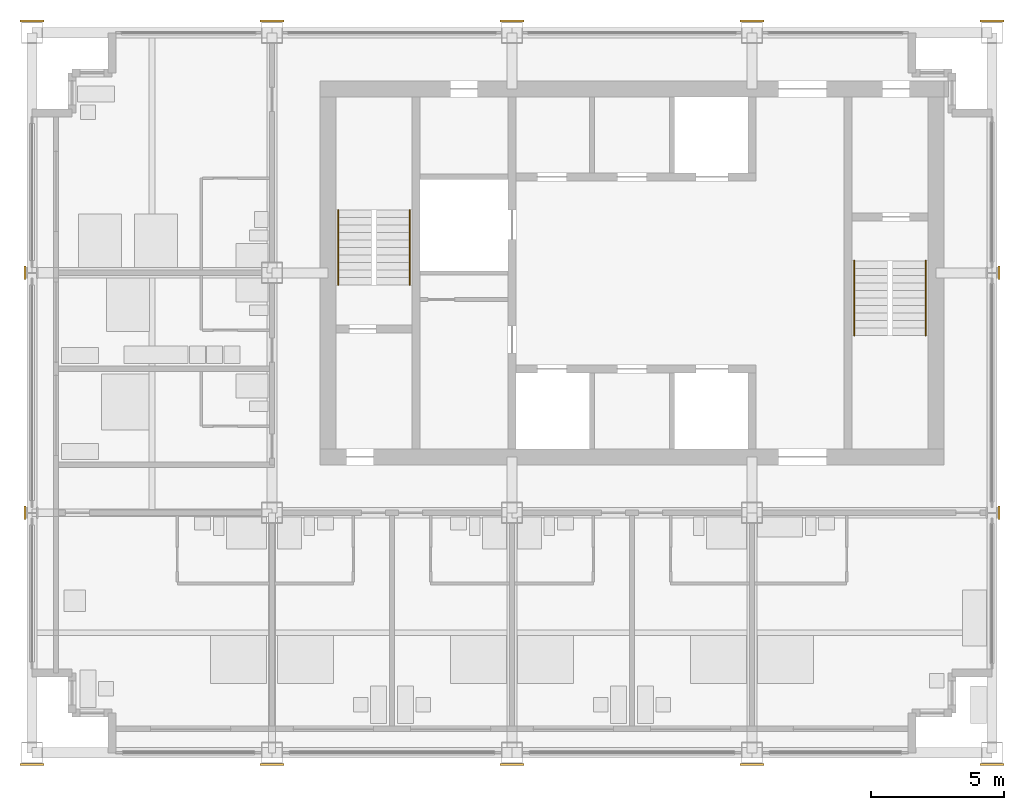
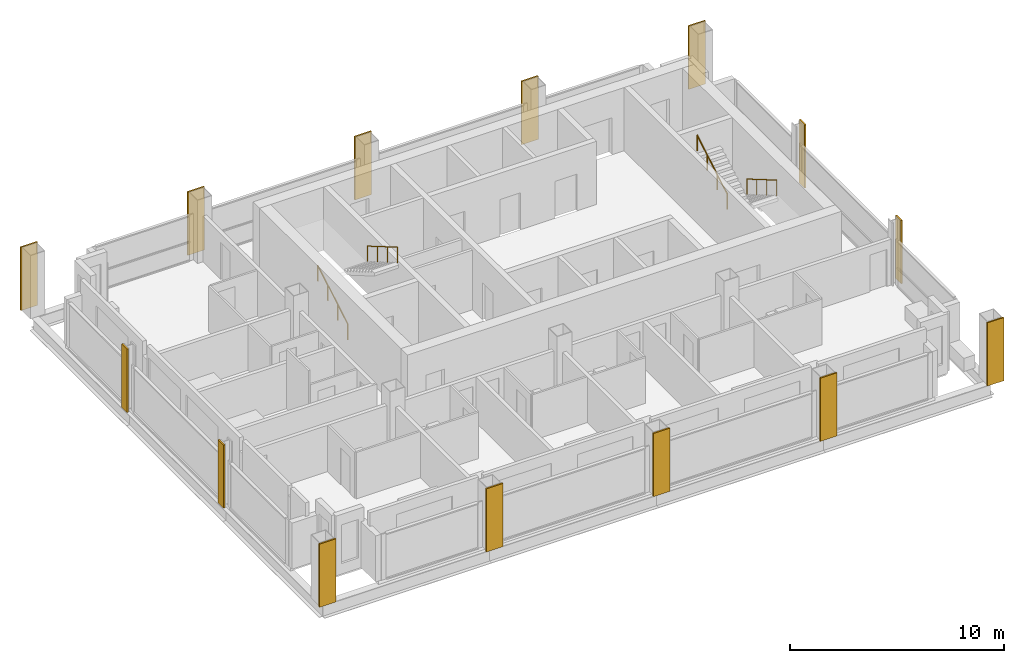
# One storey, part 10 of 12: 14 coverings, 4 railings.
"""IFC4 building model written with IfcOpenShell, lengths in metres."""

from ifc_helpers import new_model, si_unit, direction, frame, origin, origin_2d, place, context, subcontext, project, spatial, rectangle, circle, extrude, material, layer, layer_set, type_object, element, save


model = new_model("IFC4")

# Units and contexts
model_context = context("Model", 3, precision=1e-05, world=origin(), true_north=direction((0.0, 1.0)))
body_context = subcontext(model_context, "Body", "Model", "MODEL_VIEW")
ifc_project = project(units=[si_unit("LENGTHUNIT", "METRE"), si_unit("AREAUNIT", "SQUARE_METRE"), si_unit("VOLUMEUNIT", "CUBIC_METRE"), si_unit("PLANEANGLEUNIT", "RADIAN"), si_unit("MASSUNIT", "GRAM", prefix="KILO")], contexts=[model_context])

# Site, building, storey
site_placement = place(None, origin())
site = spatial("IfcSite", under=ifc_project, at=site_placement, CompositionType="ELEMENT")
building_placement = place(site_placement, origin())
building = spatial("IfcBuilding", under=site, at=building_placement, Name="Loomwork Tower", CompositionType="ELEMENT")
storey_placement = place(building_placement, frame((0.0, 0.0, 259.0)))
storey = spatial("IfcBuildingStorey", under=building, at=storey_placement, Name="L71", CompositionType="ELEMENT", Elevation=259.0)

# Railings
ifc_material_1 = material(Name="Stainless steel handrail", Category="steel")
railing_type = type_object("IfcRailingType", Name="Handrail 900", PredefinedType="HANDRAIL", material=ifc_material_1)
railing_1_placement = place(storey_placement, frame((11.485107421875, 17.550048828125, 0.16357421875)))
element("IfcRailing", 1, at=railing_1_placement, inside=storey, type_object=railing_type, Name="Stair A handrail flight 1 L71", PredefinedType="HANDRAIL", context=body_context, shape_type="SweptSolid", body=[
    extrude(circle(Radius=0.02392578125, at=origin_2d()), frame((0.0, 0.0, 0.8759765625), z_axis=(0.0, 0.863360870873, 0.504586966384), x_axis=(-1.0, 0.0, 0.0)), (0.0, 0.0, 1.0), 3.2431640625),
    extrude(circle(Radius=0.02099609375, at=origin_2d()), origin(), (0.0, 0.0, 1.0), 0.851806640625),
    extrude(circle(Radius=0.02099609375, at=origin_2d()), frame((0.0, 0.933349609375, 0.54541015625)), (0.0, 0.0, 1.0), 0.851806640625),
    extrude(circle(Radius=0.02099609375, at=origin_2d()), frame((0.0, 1.86669921875, 1.091064453125)), (0.0, 0.0, 1.0), 0.851806640625),
    extrude(circle(Radius=0.02099609375, at=origin_2d()), frame((0.0, 2.800048828125, 1.636474609375)), (0.0, 0.0, 1.0), 0.851806640625),
])
for number, where, name in (
    (2, (14.1650390625, 20.35009765625, 1.963623046875), "Stair A handrail flight 2 L71"),
    (3, (33.514892578125, 18.449951171875, 0.16357421875), "Stair B handrail flight 1 L71"),
):
    element("IfcRailing", number, at=place(storey_placement, frame(where)), inside=storey, type_object=railing_type, Name=name, PredefinedType="HANDRAIL", context=body_context, shape_type="SweptSolid", body=[
        extrude(circle(Radius=0.02392578125, at=origin_2d()), frame((0.0, 0.0, 0.8759765625), z_axis=(0.0, -0.863360870873, 0.504586966384), x_axis=(1.0, 0.0, 0.0)), (0.0, 0.0, 1.0), 3.2431640625),
        extrude(circle(Radius=0.02099609375, at=origin_2d()), origin(), (0.0, 0.0, 1.0), 0.851806640625),
        extrude(circle(Radius=0.02099609375, at=origin_2d()), frame((0.0, -0.933349609375, 0.54541015625)), (0.0, 0.0, 1.0), 0.851806640625),
        extrude(circle(Radius=0.02099609375, at=origin_2d()), frame((0.0, -1.86669921875, 1.091064453125)), (0.0, 0.0, 1.0), 0.851806640625),
        extrude(circle(Radius=0.02099609375, at=origin_2d()), frame((0.0, -2.800048828125, 1.636474609375)), (0.0, 0.0, 1.0), 0.851806640625),
    ])
railing_2_placement = place(storey_placement, frame((30.8349609375, 15.64990234375, 1.963623046875)))
element("IfcRailing", 4, at=railing_2_placement, inside=storey, type_object=railing_type, Name="Stair B handrail flight 2 L71", PredefinedType="HANDRAIL", context=body_context, shape_type="SweptSolid", body=[
    extrude(circle(Radius=0.02392578125, at=origin_2d()), frame((0.0, 0.0, 0.8759765625), z_axis=(0.0, 0.863360870873, 0.504586966384), x_axis=(-1.0, 0.0, 0.0)), (0.0, 0.0, 1.0), 3.2431640625),
    extrude(circle(Radius=0.02099609375, at=origin_2d()), origin(), (0.0, 0.0, 1.0), 0.851806640625),
    extrude(circle(Radius=0.02099609375, at=origin_2d()), frame((0.0, 0.933349609375, 0.54541015625)), (0.0, 0.0, 1.0), 0.851806640625),
    extrude(circle(Radius=0.02099609375, at=origin_2d()), frame((0.0, 1.86669921875, 1.091064453125)), (0.0, 0.0, 1.0), 0.851806640625),
    extrude(circle(Radius=0.02099609375, at=origin_2d()), frame((0.0, 2.800048828125, 1.636474609375)), (0.0, 0.0, 1.0), 0.851806640625),
])

# Coverings
ifc_material_2 = material(Name="Limestone", Category="masonry")
ifc_layer = layer(ifc_material_2, 0.080078125)
ifc_layer_set = layer_set([ifc_layer], Name="Limestone pier facing 80")
covering_type = type_object("IfcCoveringType", Name="Limestone pier facing 80", PredefinedType="CLADDING", material=ifc_layer_set)
covering_1_placement = place(storey_placement, frame((0.0, -0.43994140625, 0.0), z_axis=(0.0, 0.0, 1.0), x_axis=(1.0, 0.0, 0.0)))
element("IfcCovering", 5, at=covering_1_placement, inside=storey, type_object=covering_type, Name="Pier facing D/2 L71", PredefinedType="CLADDING", context=body_context, shape_type="SweptSolid", body=[
    extrude(rectangle(XDim=0.89990234375, YDim=0.080078125, at=origin_2d()), origin(), (0.0, 0.0, 1.0), 3.60009765625),
])
for number, where, z_axis, x_axis, name in (
    (6, (-0.26220703125, 9.0, 0.0), (0.0, 0.0, 1.0), (1.0, 0.0, 0.0), "Pier facing E/2 L71"),
    (7, (-0.26220703125, 18.0, 0.0), (0.0, 0.0, 1.0), (1.0, 0.0, 0.0), "Pier facing F/2 L71"),
):
    element("IfcCovering", number, at=place(storey_placement, frame(where, z_axis=z_axis, x_axis=x_axis)), inside=storey, type_object=covering_type, Name=name, PredefinedType="CLADDING", context=body_context, shape_type="SweptSolid", body=[
        extrude(rectangle(XDim=0.080078125, YDim=0.5166015625, at=origin_2d()), origin(), (0.0, 0.0, 1.0), 3.60009765625),
    ])
for number, where, z_axis, x_axis, name in (
    (8, (0.0, 27.43994140625, 0.0), (0.0, 0.0, 1.0), (1.0, 0.0, 0.0), "Pier facing G/2 L71"),
    (9, (9.0, -0.43994140625, 0.0), (0.0, 0.0, 1.0), (1.0, 0.0, 0.0), "Pier facing D/3 L71"),
    (10, (9.0, 27.43994140625, 0.0), (0.0, 0.0, 1.0), (1.0, 0.0, 0.0), "Pier facing G/3 L71"),
    (11, (18.0, -0.43994140625, 0.0), (0.0, 0.0, 1.0), (1.0, 0.0, 0.0), "Pier facing D/4 L71"),
    (12, (18.0, 27.43994140625, 0.0), (0.0, 0.0, 1.0), (1.0, 0.0, 0.0), "Pier facing G/4 L71"),
    (13, (27.0, -0.43994140625, 0.0), (0.0, 0.0, 1.0), (1.0, 0.0, 0.0), "Pier facing D/5 L71"),
    (14, (27.0, 27.43994140625, 0.0), (0.0, 0.0, 1.0), (1.0, 0.0, 0.0), "Pier facing G/5 L71"),
    (15, (36.0, -0.43994140625, 0.0), (0.0, 0.0, 1.0), (1.0, 0.0, 0.0), "Pier facing D/6 L71"),
):
    element("IfcCovering", number, at=place(storey_placement, frame(where, z_axis=z_axis, x_axis=x_axis)), inside=storey, type_object=covering_type, Name=name, PredefinedType="CLADDING", context=body_context, shape_type="SweptSolid", body=[
        extrude(rectangle(XDim=0.89990234375, YDim=0.080078125, at=origin_2d()), origin(), (0.0, 0.0, 1.0), 3.60009765625),
    ])
for number, where, z_axis, x_axis, name in (
    (16, (36.26220703125, 9.0, 0.0), (0.0, 0.0, 1.0), (1.0, 0.0, 0.0), "Pier facing E/6 L71"),
    (17, (36.26220703125, 18.0, 0.0), (0.0, 0.0, 1.0), (1.0, 0.0, 0.0), "Pier facing F/6 L71"),
):
    element("IfcCovering", number, at=place(storey_placement, frame(where, z_axis=z_axis, x_axis=x_axis)), inside=storey, type_object=covering_type, Name=name, PredefinedType="CLADDING", context=body_context, shape_type="SweptSolid", body=[
        extrude(rectangle(XDim=0.080078125, YDim=0.5166015625, at=origin_2d()), origin(), (0.0, 0.0, 1.0), 3.60009765625),
    ])
covering_2_placement = place(storey_placement, frame((36.0, 27.43994140625, 0.0), z_axis=(0.0, 0.0, 1.0), x_axis=(1.0, 0.0, 0.0)))
element("IfcCovering", 18, at=covering_2_placement, inside=storey, type_object=covering_type, Name="Pier facing G/6 L71", PredefinedType="CLADDING", context=body_context, shape_type="SweptSolid", body=[
    extrude(rectangle(XDim=0.89990234375, YDim=0.080078125, at=origin_2d()), origin(), (0.0, 0.0, 1.0), 3.60009765625),
])

save(model, "model.ifc")
